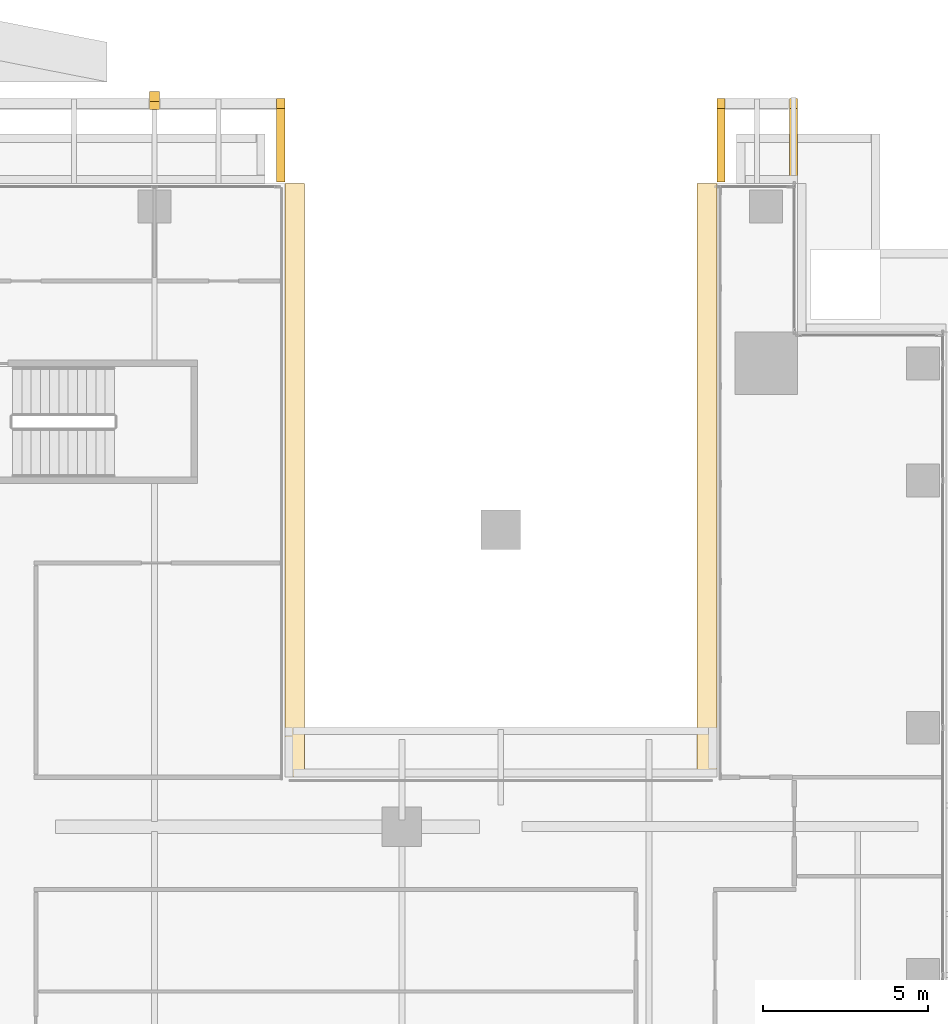
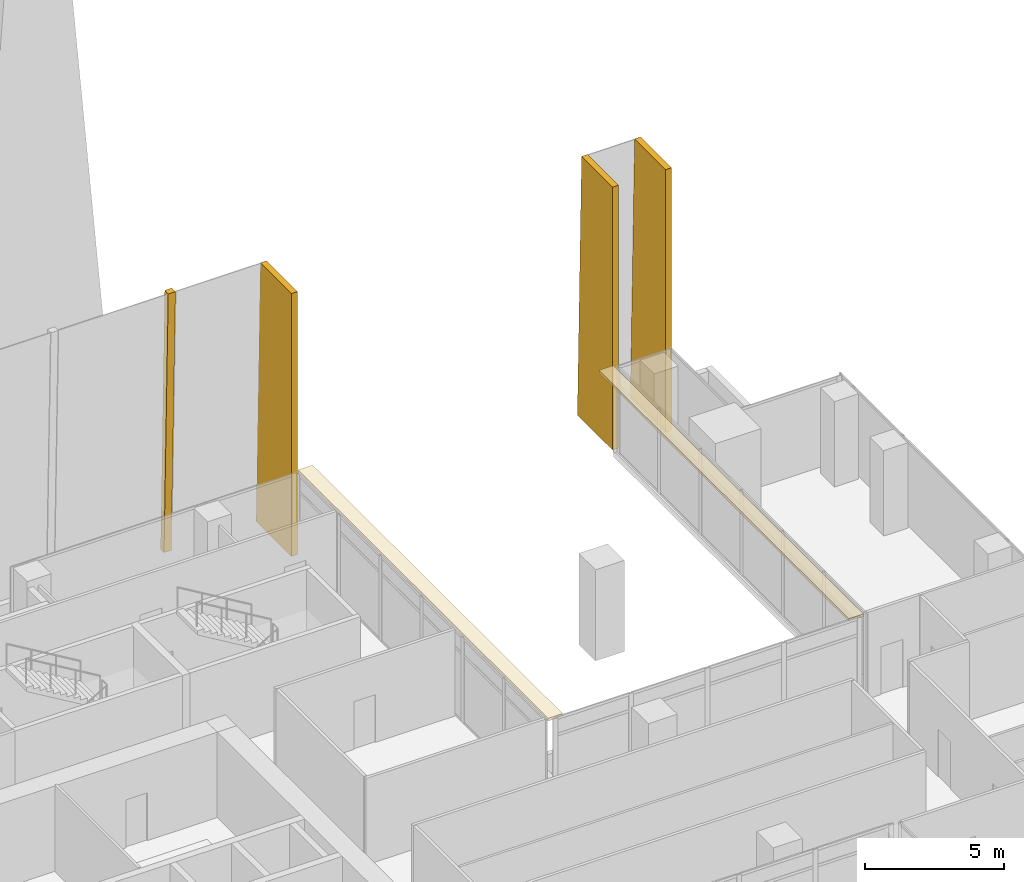
# One storey, part 42 of 43: 6 coverings.
"""IFC4 building model written with IfcOpenShell, lengths in metres."""

from ifc_helpers import new_model, si_unit, direction, frame, origin, place, context, subcontext, project, spatial, polyline, outline, extrude, source, transform, mapped, material, layer, layer_set, type_object, element, save


model = new_model("IFC4")

# Units and contexts
model_context = context("Model", 3, precision=1e-05, world=origin(), true_north=direction((0.0, 1.0)))
body_context = subcontext(model_context, "Body", "Model", "MODEL_VIEW")
ifc_project = project(units=[si_unit("LENGTHUNIT", "METRE"), si_unit("AREAUNIT", "SQUARE_METRE"), si_unit("VOLUMEUNIT", "CUBIC_METRE"), si_unit("PLANEANGLEUNIT", "RADIAN"), si_unit("MASSUNIT", "GRAM", prefix="KILO")], contexts=[model_context])

# Site, building, storey
site_placement = place(None, origin())
site = spatial("IfcSite", under=ifc_project, at=site_placement, CompositionType="ELEMENT")
building_placement = place(site_placement, origin())
building = spatial("IfcBuilding", under=site, at=building_placement, Name="Khomas Fold Tower", CompositionType="ELEMENT")
storey_placement = place(building_placement, frame((0.0, 0.0, 164.699951171875)))
storey = spatial("IfcBuildingStorey", under=building, at=storey_placement, Name="L35", CompositionType="ELEMENT", Elevation=164.699951171875)

# Coverings
ifc_material_1 = material(Name="Natural stone cladding", Category="masonry")
ifc_layer_1 = layer(ifc_material_1, 0.25)
ifc_layer_set_1 = layer_set([ifc_layer_1], Name="Natural stone cladding")
covering_type_1 = type_object("IfcCoveringType", Name="SK-Karibib marble stone mullion", PredefinedType="CLADDING", material=ifc_layer_set_1)
covering_1_placement = place(storey_placement, frame((26.85009765625, 53.794921875, 0.006591796875), z_axis=(0.0, 0.999657230839, 0.026180543005), x_axis=(1.0, 0.0, 0.0)))
element("IfcCovering", 1, at=covering_1_placement, inside=storey, type_object=covering_type_1, Name="OUTER SKIN mullion L35 N8", PredefinedType="CLADDING", context=body_context, shape_type="SweptSolid", body=[
    extrude(outline(polyline([(0.0, 0.0), (0.2998046875, 0.0), (0.2998046875, -11.554009186164079), (0.0, -11.554009186164079), (0.0, 0.0)])), origin(), (0.0, 0.0, -1.0), 0.25),
])
covering_2_placement = place(storey_placement, frame((30.949951171875, 51.050048828125, 0.0), z_axis=(1.0, 0.0, 0.0), x_axis=(0.0, 1.0, 0.0)))
element("IfcCovering", 2, at=covering_2_placement, inside=storey, type_object=covering_type_1, Name="OUTER SKIN return L35 NH1", PredefinedType="CLADDING", context=body_context, shape_type="SweptSolid", body=[
    extrude(outline(polyline([(0.0, 0.0), (2.534912109375, 0.0), (2.232666015625, 11.550048828125), (0.0, 11.550048828125), (0.0, 0.0)])), origin(), (0.0, 0.0, -1.0), 0.25),
])
covering_3_placement = place(storey_placement, frame((44.050048828125, 51.050048828125, 11.550048828125), z_axis=(-1.0, 0.0, 0.0), x_axis=(0.0, 1.0, 0.0)))
element("IfcCovering", 3, at=covering_3_placement, inside=storey, type_object=covering_type_1, Name="OUTER SKIN return L35 NH2", PredefinedType="CLADDING", context=body_context, shape_type="SweptSolid", body=[
    extrude(outline(polyline([(0.0, 0.0), (2.232666015625, 0.0), (2.534912109375, 11.550048828125), (0.0, 11.550048828125), (0.0, 0.0)])), origin(), (0.0, 0.0, -1.0), 0.25),
])
covering_4_placement = place(storey_placement, frame((46.5, 51.050048828125, 0.0), z_axis=(1.0, 0.0, 0.0), x_axis=(0.0, 1.0, 0.0)))
element("IfcCovering", 4, at=covering_4_placement, inside=storey, type_object=covering_type_1, Name="OUTER SKIN return L35 N2", PredefinedType="CLADDING", context=body_context, shape_type="SweptSolid", body=[
    extrude(outline(polyline([(0.0, 0.0), (2.534912109375, 0.0), (2.232666015625, 11.550048828125), (0.0, 11.550048828125), (0.0, 0.0)])), origin(), (0.0, 0.0, -1.0), 0.25),
])
ifc_material_2 = material(Name="Natural stone cladding", Category="masonry")
ifc_layer_2 = layer(ifc_material_2, 0.1201171875)
ifc_layer_set_2 = layer_set([ifc_layer_2], Name="Natural stone cladding")
covering_type_2 = type_object("IfcCoveringType", Name="Notch soffit stone GN-SF", PredefinedType="CLADDING", material=ifc_layer_set_2)
shared_shape_1 = source(origin(), body_context, "Body", "SweptSolid", [
    extrude(outline(polyline([(43.449951171875, 51.0), (43.449951171875, 33.0), (44.050048828125, 33.0), (44.050048828125, 51.0), (43.449951171875, 51.0)])), origin(), (0.0, 0.0, 1.0), 0.119873046875),
])
covering_5_placement = place(storey_placement, frame((0.0, 0.0, 3.630126953125)))
element("IfcCovering", 5, at=covering_5_placement, inside=storey, type_object=covering_type_2, Name="Notch soffit stone", PredefinedType="CLADDING", context=body_context, shape_type="MappedRepresentation", body=[
    mapped(shared_shape_1, transform((0.0, 0.0, 0.0))),
])
shared_shape_2 = source(origin(), body_context, "Body", "SweptSolid", [
    extrude(outline(polyline([(31.550048828125, 33.0), (31.550048828125, 51.0), (30.949951171875, 51.0), (30.949951171875, 33.0), (31.550048828125, 33.0)])), origin(), (0.0, 0.0, 1.0), 0.119873046875),
])
covering_6_placement = place(storey_placement, frame((0.0, 0.0, 3.630126953125)))
element("IfcCovering", 6, at=covering_6_placement, inside=storey, type_object=covering_type_2, Name="Notch soffit stone", PredefinedType="CLADDING", context=body_context, shape_type="MappedRepresentation", body=[
    mapped(shared_shape_2, transform((0.0, 0.0, 0.0))),
])

save(model, "model.ifc")
